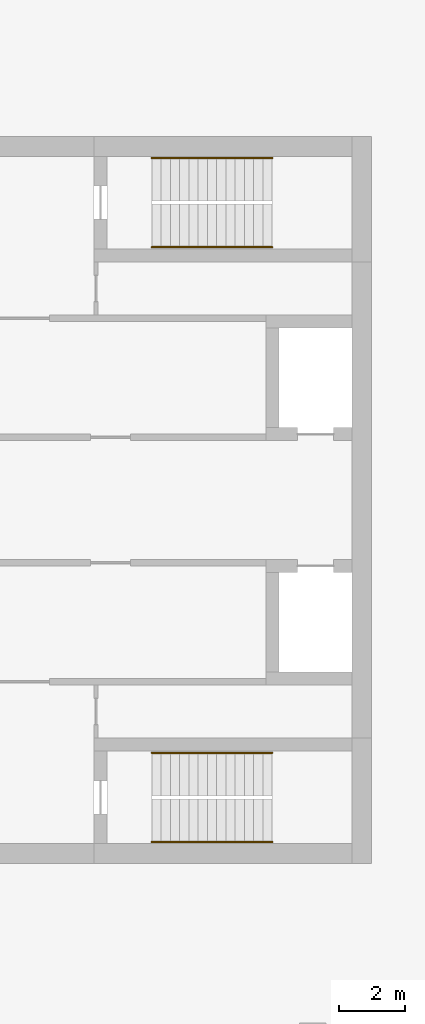
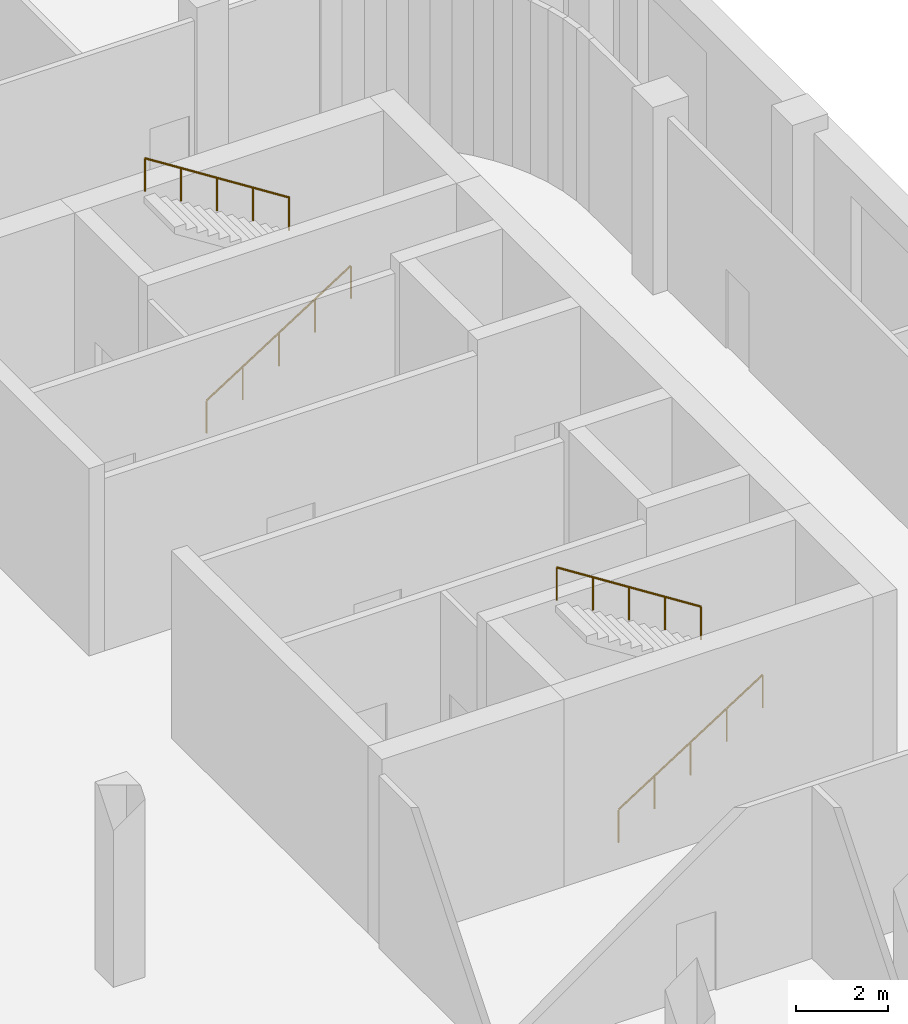
# One storey, part 24 of 24: 4 railings.
"""IFC4 building model written with IfcOpenShell, lengths in metres."""

from ifc_helpers import new_model, si_unit, direction, frame, origin, origin_2d, place, context, subcontext, project, spatial, circle, extrude, material, type_object, element, save


model = new_model("IFC4")

# Units and contexts
model_context = context("Model", 3, precision=1e-05, world=origin(), true_north=direction((0.0, 1.0)))
body_context = subcontext(model_context, "Body", "Model", "MODEL_VIEW")
ifc_project = project(units=[si_unit("LENGTHUNIT", "METRE"), si_unit("AREAUNIT", "SQUARE_METRE"), si_unit("VOLUMEUNIT", "CUBIC_METRE"), si_unit("PLANEANGLEUNIT", "RADIAN"), si_unit("MASSUNIT", "GRAM", prefix="KILO")], contexts=[model_context])

# Site, building, storey
site_placement = place(None, origin())
site = spatial("IfcSite", under=ifc_project, at=site_placement, CompositionType="ELEMENT")
building_placement = place(site_placement, origin())
building = spatial("IfcBuilding", under=site, at=building_placement, Name="Skarvind Civic Tower", CompositionType="ELEMENT")
storey_placement = place(building_placement, frame((0.0, 0.0, 12.5)))
storey = spatial("IfcBuildingStorey", under=building, at=storey_placement, Name="L02", CompositionType="ELEMENT", Elevation=12.5)

# Railings
ifc_material = material(Name="Painted steel handrail", Category="steel")
railing_type = type_object("IfcRailingType", Name="Stair handrail 900", PredefinedType="HANDRAIL", material=ifc_material)
railing_1_placement = place(storey_placement, frame((160.35009765625, 135.64990234375, 0.178466796875)))
element("IfcRailing", 1, at=railing_1_placement, inside=storey, type_object=railing_type, Name="Stair handrail", PredefinedType="HANDRAIL", context=body_context, shape_type="SweptSolid", body=[
    extrude(circle(Radius=0.02392578125, at=origin_2d()), frame((0.0, 0.0, 0.8759765625), z_axis=(0.843111507901, 0.0, 0.53773877045), x_axis=(0.0, 1.0, 0.0)), (0.0, 0.0, 1.0), 4.317138671875),
    extrude(circle(Radius=0.02099609375, at=origin_2d()), origin(), (0.0, 0.0, 1.0), 0.851806640625),
    extrude(circle(Radius=0.02099609375, at=origin_2d()), frame((0.909912109375, 0.0, 0.580322265625)), (0.0, 0.0, 1.0), 0.851806640625),
    extrude(circle(Radius=0.02099609375, at=origin_2d()), frame((1.81982421875, 0.0, 1.16064453125)), (0.0, 0.0, 1.0), 0.851806640625),
    extrude(circle(Radius=0.02099609375, at=origin_2d()), frame((2.72998046875, 0.0, 1.7412109375)), (0.0, 0.0, 1.0), 0.851806640625),
    extrude(circle(Radius=0.02099609375, at=origin_2d()), frame((3.639892578125, 0.0, 2.321533203125)), (0.0, 0.0, 1.0), 0.851806640625),
])
railing_2_placement = place(storey_placement, frame((163.989990234375, 138.35009765625, 2.678466796875)))
element("IfcRailing", 2, at=railing_2_placement, inside=storey, type_object=railing_type, Name="Stair handrail", PredefinedType="HANDRAIL", context=body_context, shape_type="SweptSolid", body=[
    extrude(circle(Radius=0.02392578125, at=origin_2d()), frame((0.0, 0.0, 0.8759765625), z_axis=(-0.843111507901, 0.0, 0.53773877045), x_axis=(0.0, -1.0, 0.0)), (0.0, 0.0, 1.0), 4.317138671875),
    extrude(circle(Radius=0.02099609375, at=origin_2d()), origin(), (0.0, 0.0, 1.0), 0.851806640625),
    extrude(circle(Radius=0.02099609375, at=origin_2d()), frame((-0.909912109375, 0.0, 0.580322265625)), (0.0, 0.0, 1.0), 0.851806640625),
    extrude(circle(Radius=0.02099609375, at=origin_2d()), frame((-1.81982421875, 0.0, 1.16064453125)), (0.0, 0.0, 1.0), 0.851806640625),
    extrude(circle(Radius=0.02099609375, at=origin_2d()), frame((-2.72998046875, 0.0, 1.7412109375)), (0.0, 0.0, 1.0), 0.851806640625),
    extrude(circle(Radius=0.02099609375, at=origin_2d()), frame((-3.639892578125, 0.0, 2.321533203125)), (0.0, 0.0, 1.0), 0.851806640625),
])
railing_3_placement = place(storey_placement, frame((160.35009765625, 117.64990234375, 0.178466796875)))
element("IfcRailing", 3, at=railing_3_placement, inside=storey, type_object=railing_type, Name="Stair handrail", PredefinedType="HANDRAIL", context=body_context, shape_type="SweptSolid", body=[
    extrude(circle(Radius=0.02392578125, at=origin_2d()), frame((0.0, 0.0, 0.8759765625), z_axis=(0.843111507901, 0.0, 0.53773877045), x_axis=(0.0, 1.0, 0.0)), (0.0, 0.0, 1.0), 4.317138671875),
    extrude(circle(Radius=0.02099609375, at=origin_2d()), origin(), (0.0, 0.0, 1.0), 0.851806640625),
    extrude(circle(Radius=0.02099609375, at=origin_2d()), frame((0.909912109375, 0.0, 0.580322265625)), (0.0, 0.0, 1.0), 0.851806640625),
    extrude(circle(Radius=0.02099609375, at=origin_2d()), frame((1.81982421875, 0.0, 1.16064453125)), (0.0, 0.0, 1.0), 0.851806640625),
    extrude(circle(Radius=0.02099609375, at=origin_2d()), frame((2.72998046875, 0.0, 1.7412109375)), (0.0, 0.0, 1.0), 0.851806640625),
    extrude(circle(Radius=0.02099609375, at=origin_2d()), frame((3.639892578125, 0.0, 2.321533203125)), (0.0, 0.0, 1.0), 0.851806640625),
])
railing_4_placement = place(storey_placement, frame((163.989990234375, 120.35009765625, 2.678466796875)))
element("IfcRailing", 4, at=railing_4_placement, inside=storey, type_object=railing_type, Name="Stair handrail", PredefinedType="HANDRAIL", context=body_context, shape_type="SweptSolid", body=[
    extrude(circle(Radius=0.02392578125, at=origin_2d()), frame((0.0, 0.0, 0.8759765625), z_axis=(-0.843111507901, 0.0, 0.53773877045), x_axis=(0.0, -1.0, 0.0)), (0.0, 0.0, 1.0), 4.317138671875),
    extrude(circle(Radius=0.02099609375, at=origin_2d()), origin(), (0.0, 0.0, 1.0), 0.851806640625),
    extrude(circle(Radius=0.02099609375, at=origin_2d()), frame((-0.909912109375, 0.0, 0.580322265625)), (0.0, 0.0, 1.0), 0.851806640625),
    extrude(circle(Radius=0.02099609375, at=origin_2d()), frame((-1.81982421875, 0.0, 1.16064453125)), (0.0, 0.0, 1.0), 0.851806640625),
    extrude(circle(Radius=0.02099609375, at=origin_2d()), frame((-2.72998046875, 0.0, 1.7412109375)), (0.0, 0.0, 1.0), 0.851806640625),
    extrude(circle(Radius=0.02099609375, at=origin_2d()), frame((-3.639892578125, 0.0, 2.321533203125)), (0.0, 0.0, 1.0), 0.851806640625),
])

save(model, "model.ifc")
